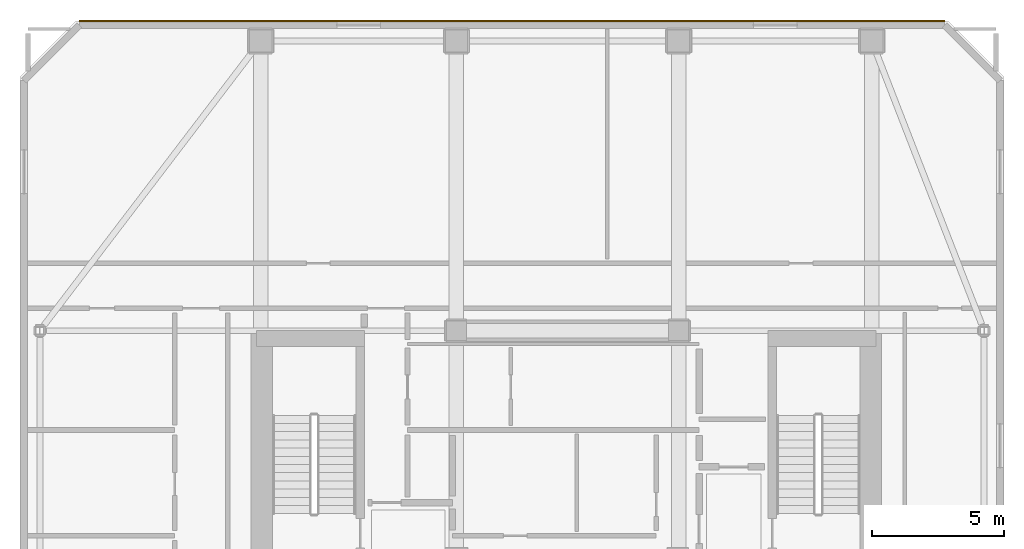
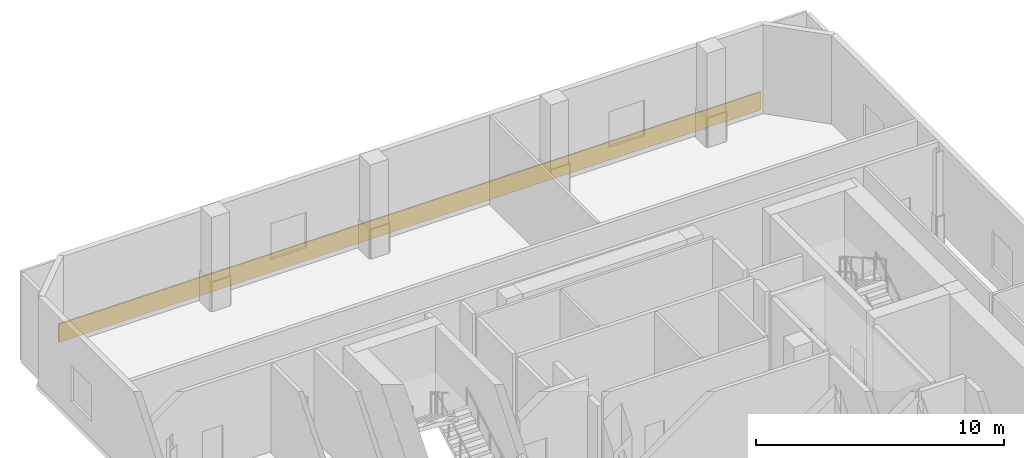
# One storey, part 10 of 10: 1 covering.
"""IFC4 building model written with IfcOpenShell, lengths in metres."""

from ifc_helpers import new_model, si_unit, direction, frame, frame_2d, origin, place, context, subcontext, project, spatial, rectangle, extrude, material, layer, layer_set, type_object, element, save


model = new_model("IFC4")

# Units and contexts
model_context = context("Model", 3, precision=1e-05, world=origin(), true_north=direction((0.0, 1.0)))
body_context = subcontext(model_context, "Body", "Model", "MODEL_VIEW")
ifc_project = project(units=[si_unit("LENGTHUNIT", "METRE"), si_unit("AREAUNIT", "SQUARE_METRE"), si_unit("VOLUMEUNIT", "CUBIC_METRE"), si_unit("PLANEANGLEUNIT", "RADIAN"), si_unit("MASSUNIT", "GRAM", prefix="KILO")], contexts=[model_context])

# Site, building, storey
site_placement = place(None, origin())
site = spatial("IfcSite", under=ifc_project, at=site_placement, CompositionType="ELEMENT")
building_placement = place(site_placement, origin())
building = spatial("IfcBuilding", under=site, at=building_placement, Name="Solanera Arch Residences", CompositionType="ELEMENT")
storey_placement = place(building_placement, frame((0.0, 0.0, 268.8798828125)))
storey = spatial("IfcBuildingStorey", under=building, at=storey_placement, Name="L78", CompositionType="ELEMENT", Elevation=268.8798828125)

# Covering
ifc_material = material(Name="Philippine Adobe Travertine Cladding", Category="masonry")
ifc_layer = layer(ifc_material, 0.06005859375)
ifc_layer_set = layer_set([ifc_layer], Name="Philippine Adobe Travertine Cladding")
covering_type = type_object("IfcCoveringType", Name="Precast Pier Stone Cladding CLD-60", PredefinedType="CLADDING", material=ifc_layer_set)
covering_placement = place(storey_placement, frame((6.544921875, 51.114990234375, 0.0), z_axis=(0.0, 0.0, 1.0), x_axis=(1.0, 0.0, 0.0)))
element("IfcCovering", 1, at=covering_placement, inside=storey, type_object=covering_type, Name="L78 N Precast Spandrel Stone Band", PredefinedType="CLADDING", context=body_context, shape_type="SweptSolid", body=[
    extrude(rectangle(XDim=32.7099609375, YDim=0.06005859375, at=frame_2d((16.35498046875, 0.0))), origin(), (0.0, 0.0, 1.0), 0.900146484375),
])

save(model, "model.ifc")
